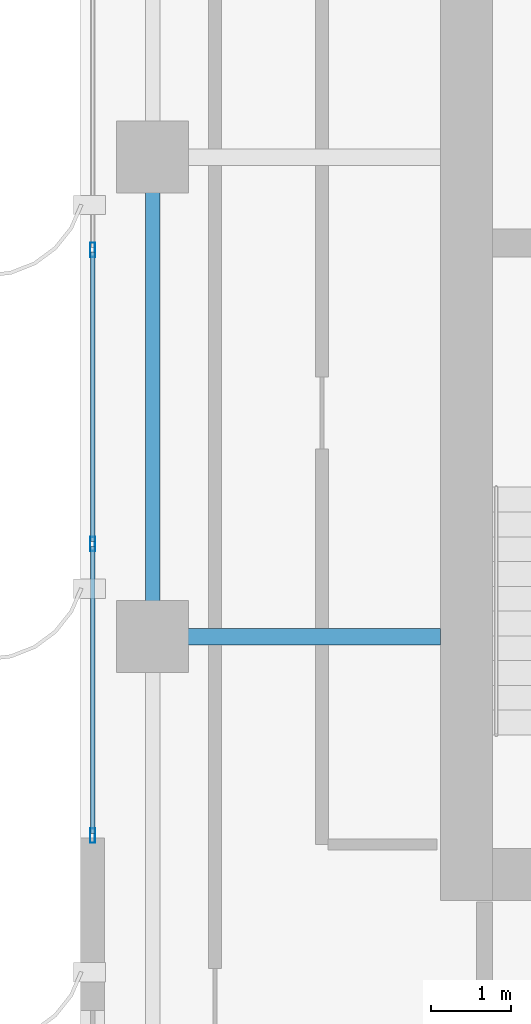
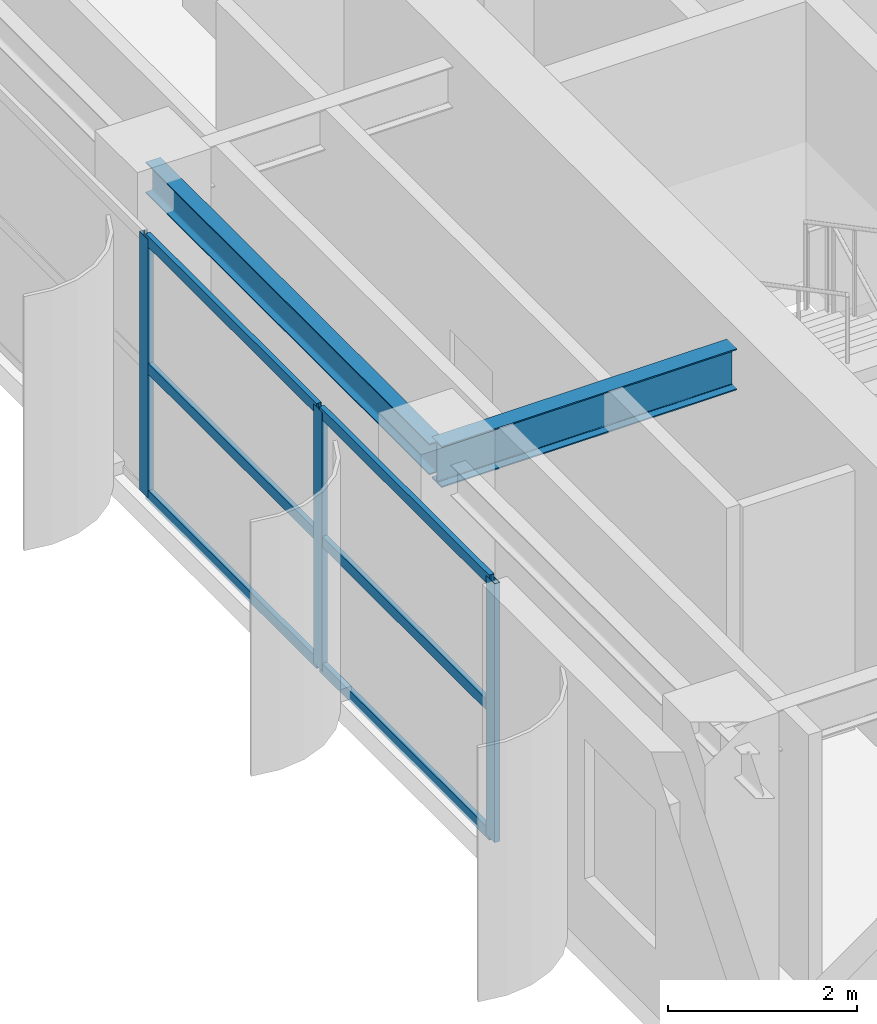
# One storey, part 5 of 22: 9 members, 2 beams, 1 element without a shape of its own.
"""IFC4 building model written with IfcOpenShell, lengths in metres."""

from ifc_helpers import new_model, si_unit, direction, frame, origin, origin_2d, place, context, subcontext, project, spatial, hollow_rectangle, i_section, extrude, source, transform, mapped, material, layer, layer_set, material_profile, profile_set, type_object, element, aggregate, save


model = new_model("IFC4")

# Units and contexts
model_context = context("Model", 3, precision=1e-05, world=origin(), true_north=direction((0.0, 1.0)))
body_context = subcontext(model_context, "Body", "Model", "MODEL_VIEW")
ifc_project = project(units=[si_unit("LENGTHUNIT", "METRE"), si_unit("AREAUNIT", "SQUARE_METRE"), si_unit("VOLUMEUNIT", "CUBIC_METRE"), si_unit("PLANEANGLEUNIT", "RADIAN"), si_unit("MASSUNIT", "GRAM", prefix="KILO")], contexts=[model_context])

# Site, building, storey
site_placement = place(None, origin())
site = spatial("IfcSite", under=ifc_project, at=site_placement, CompositionType="ELEMENT")
building_placement = place(site_placement, origin())
building = spatial("IfcBuilding", under=site, at=building_placement, Name="Khoralis Quay Care Tower", CompositionType="ELEMENT")
storey_placement = place(building_placement, frame((0.0, 0.0, 170.10009765625)))
storey = spatial("IfcBuildingStorey", under=building, at=storey_placement, Name="L44", CompositionType="ELEMENT", Elevation=170.10009765625)

# Beams
ifc_material_1 = material(Name="Steel S355", Category="steel")
ifc_material_profile_1 = material_profile(ifc_material_1, i_section(OverallWidth=0.179931640625, OverallDepth=0.39990234375, WebThickness=0.008544921875, FlangeThickness=0.013427734375, FilletRadius=0.02099609375, at=origin_2d()), Name="Steel S355")
ifc_profile_set_1 = profile_set([ifc_material_profile_1], Name="Steel S355")
beam_type_1 = type_object("IfcBeamType", Name="BM-IPE400", PredefinedType="SPANDREL", material=ifc_profile_set_1)
shared_shape_1 = source(origin(), body_context, "Body", "SweptSolid", [
    extrude(i_section(OverallWidth=0.179931640625, OverallDepth=0.39990234375, WebThickness=0.008544921875, FlangeThickness=0.013427734375, FilletRadius=0.02099609375, at=origin_2d()), origin(), (0.0, 0.0, 1.0), 6.0),
])
beam_1_placement = place(storey_placement, frame((3.89990234375, 18.0, 3.139892578125), z_axis=(0.0, 1.0, 0.0), x_axis=(-1.0, 0.0, 0.0)))
element("IfcBeam", 1, at=beam_1_placement, inside=storey, type_object=beam_type_1, Name="BM-TSP-L44-11", PredefinedType="SPANDREL", context=body_context, shape_type="MappedRepresentation", body=[
    mapped(shared_shape_1, transform((0.0, 0.0, 0.0), scale=1.0)),
])
ifc_material_profile_2 = material_profile(ifc_material_1, i_section(OverallWidth=0.208984375, OverallDepth=0.532958984375, WebThickness=0.01025390625, FlangeThickness=0.015625, FilletRadius=0.01611328125, at=origin_2d()), Name="Steel S355")
ifc_profile_set_2 = profile_set([ifc_material_profile_2], Name="Steel S355")
beam_type_2 = type_object("IfcBeamType", Name="BM-W530X92", PredefinedType="BEAM", material=ifc_profile_set_2)
shared_shape_2 = source(origin(), body_context, "Body", "SweptSolid", [
    extrude(i_section(OverallWidth=0.208984375, OverallDepth=0.532958984375, WebThickness=0.01025390625, FlangeThickness=0.015625, FilletRadius=0.01611328125, at=origin_2d()), origin(), (0.0, 0.0, 1.0), 3.60205078125),
])
beam_2_placement = place(storey_placement, frame((3.89990234375, 18.0, 3.073486328125), z_axis=(1.0, 0.0, 0.0), x_axis=(0.0, 1.0, 0.0)))
element("IfcBeam", 2, at=beam_2_placement, inside=storey, type_object=beam_type_2, Name="BM-TGXW-L44-180", PredefinedType="BEAM", context=body_context, shape_type="MappedRepresentation", body=[
    mapped(shared_shape_2, transform((0.0, 0.0, 0.0), scale=1.0)),
])

# Curtain wall, members
ifc_material_2 = material(Name="Pale anodised aluminium", Category="aluminium")
ifc_layer = layer(ifc_material_2, 0.159912109375)
ifc_layer_set = layer_set([ifc_layer], Name="Pale anodised aluminium")
curtain_wall_type = type_object("IfcCurtainWallType", Name="CW-SYS-Z3", PredefinedType="NOTDEFINED", material=ifc_layer_set)
curtain_wall_placement = place(storey_placement, origin())
curtain_wall = element("IfcCurtainWall", 3, at=curtain_wall_placement, inside=storey, type_object=curtain_wall_type, Name="L44 Unitised Curtain Wall CW-L44-P1-E15", PredefinedType="NOTDEFINED")
ifc_material_profile_3 = material_profile(ifc_material_2, hollow_rectangle(XDim=0.06494140625, YDim=0.179931640625, WallThickness=0.00390625, at=origin_2d()), Name="Pale anodised aluminium")
ifc_profile_set_3 = profile_set([ifc_material_profile_3], Name="Pale anodised aluminium")
member_type_1 = type_object("IfcMemberType", Name="CW-MUL-180", PredefinedType="MULLION", material=ifc_profile_set_3)
shared_shape_3 = source(origin(), body_context, "Body", "SweptSolid", [
    extrude(hollow_rectangle(XDim=0.06494140625, YDim=0.179931640625, WallThickness=0.00390625, at=origin_2d()), origin(), (0.0, 0.0, 1.0), 3.33984375),
])
member_1_placement = place(storey_placement, frame((3.14990234375, 22.840087890625, 0.0), z_axis=(0.0, 0.0, 1.0), x_axis=(1.0, 0.0, 0.0)))
member_1 = element("IfcMember", 4, at=member_1_placement, type_object=member_type_1, Name="CW3 mullion 2", PredefinedType="MULLION", context=body_context, shape_type="MappedRepresentation", body=[
    mapped(shared_shape_3, transform((0.0, 0.0, 0.0), scale=1.0)),
])
member_2_placement = place(storey_placement, frame((3.14990234375, 19.159912109375, 0.0), z_axis=(0.0, 0.0, 1.0), x_axis=(1.0, 0.0, 0.0)))
member_2 = element("IfcMember", 5, at=member_2_placement, type_object=member_type_1, Name="CW3 mullion 3", PredefinedType="MULLION", context=body_context, shape_type="MappedRepresentation", body=[
    mapped(shared_shape_3, transform((0.0, 0.0, 0.0), scale=1.0)),
])
member_3_placement = place(storey_placement, frame((3.14990234375, 15.510009765625, 0.0), z_axis=(0.0, 0.0, 1.0), x_axis=(1.0, 0.0, 0.0)))
member_3 = element("IfcMember", 6, at=member_3_placement, type_object=member_type_1, Name="CW3 mullion 4", PredefinedType="MULLION", context=body_context, shape_type="MappedRepresentation", body=[
    mapped(shared_shape_3, transform((0.0, 0.0, 0.0), scale=1.0)),
])
ifc_material_profile_4 = material_profile(ifc_material_2, hollow_rectangle(XDim=0.06005859375, YDim=0.139892578125, WallThickness=0.00390625, at=origin_2d()), Name="Pale anodised aluminium")
ifc_profile_set_4 = profile_set([ifc_material_profile_4], Name="Pale anodised aluminium")
member_type_2 = type_object("IfcMemberType", Name="CW-TRN-140", PredefinedType="USERDEFINED", material=ifc_profile_set_4)
shared_shape_4 = source(origin(), body_context, "Body", "SweptSolid", [
    extrude(hollow_rectangle(XDim=0.06005859375, YDim=0.139892578125, WallThickness=0.00390625, at=origin_2d()), origin(), (0.0, 0.0, 1.0), 3.58984375),
])
member_4_placement = place(storey_placement, frame((3.14990234375, 19.1298828125, 0.02978515625), z_axis=(0.0, -1.0, 0.0), x_axis=(1.0, 0.0, 0.0)))
member_4 = element("IfcMember", 7, at=member_4_placement, type_object=member_type_2, Name="CW3 transom 3.1", ObjectType="TRANSOM", PredefinedType="USERDEFINED", context=body_context, shape_type="MappedRepresentation", body=[
    mapped(shared_shape_4, transform((0.0, 0.0, 0.0), scale=1.0)),
])
member_5_placement = place(storey_placement, frame((3.14990234375, 19.1298828125, 1.669921875), z_axis=(0.0, -1.0, 0.0), x_axis=(1.0, 0.0, 0.0)))
member_5 = element("IfcMember", 8, at=member_5_placement, type_object=member_type_2, Name="CW3 transom 3.2", ObjectType="TRANSOM", PredefinedType="USERDEFINED", context=body_context, shape_type="MappedRepresentation", body=[
    mapped(shared_shape_4, transform((0.0, 0.0, 0.0), scale=1.0)),
])
member_6_placement = place(storey_placement, frame((3.14990234375, 19.1298828125, 3.309814453125), z_axis=(0.0, -1.0, 0.0), x_axis=(1.0, 0.0, 0.0)))
member_6 = element("IfcMember", 9, at=member_6_placement, type_object=member_type_2, Name="CW3 transom 3.3", ObjectType="TRANSOM", PredefinedType="USERDEFINED", context=body_context, shape_type="MappedRepresentation", body=[
    mapped(shared_shape_4, transform((0.0, 0.0, 0.0), scale=1.0)),
])
shared_shape_5 = source(origin(), body_context, "Body", "SweptSolid", [
    extrude(hollow_rectangle(XDim=0.06005859375, YDim=0.139892578125, WallThickness=0.00390625, at=origin_2d()), origin(), (0.0, 0.0, 1.0), 3.6201171875),
])
member_7_placement = place(storey_placement, frame((3.14990234375, 22.81005859375, 0.02978515625), z_axis=(0.0, -1.0, 0.0), x_axis=(1.0, 0.0, 0.0)))
member_7 = element("IfcMember", 10, at=member_7_placement, type_object=member_type_2, Name="CW3 transom 2.1", ObjectType="TRANSOM", PredefinedType="USERDEFINED", context=body_context, shape_type="MappedRepresentation", body=[
    mapped(shared_shape_5, transform((0.0, 0.0, 0.0), scale=1.0)),
])
member_8_placement = place(storey_placement, frame((3.14990234375, 22.81005859375, 1.669921875), z_axis=(0.0, -1.0, 0.0), x_axis=(1.0, 0.0, 0.0)))
member_8 = element("IfcMember", 11, at=member_8_placement, type_object=member_type_2, Name="CW3 transom 2.2", ObjectType="TRANSOM", PredefinedType="USERDEFINED", context=body_context, shape_type="MappedRepresentation", body=[
    mapped(shared_shape_5, transform((0.0, 0.0, 0.0), scale=1.0)),
])
member_9_placement = place(storey_placement, frame((3.14990234375, 22.81005859375, 3.309814453125), z_axis=(0.0, -1.0, 0.0), x_axis=(1.0, 0.0, 0.0)))
member_9 = element("IfcMember", 12, at=member_9_placement, type_object=member_type_2, Name="CW3 transom 2.3", ObjectType="TRANSOM", PredefinedType="USERDEFINED", context=body_context, shape_type="MappedRepresentation", body=[
    mapped(shared_shape_5, transform((0.0, 0.0, 0.0), scale=1.0)),
])
aggregate(curtain_wall, [member_1, member_2, member_3, member_7, member_8, member_9, member_4, member_5, member_6])

save(model, "model.ifc")
